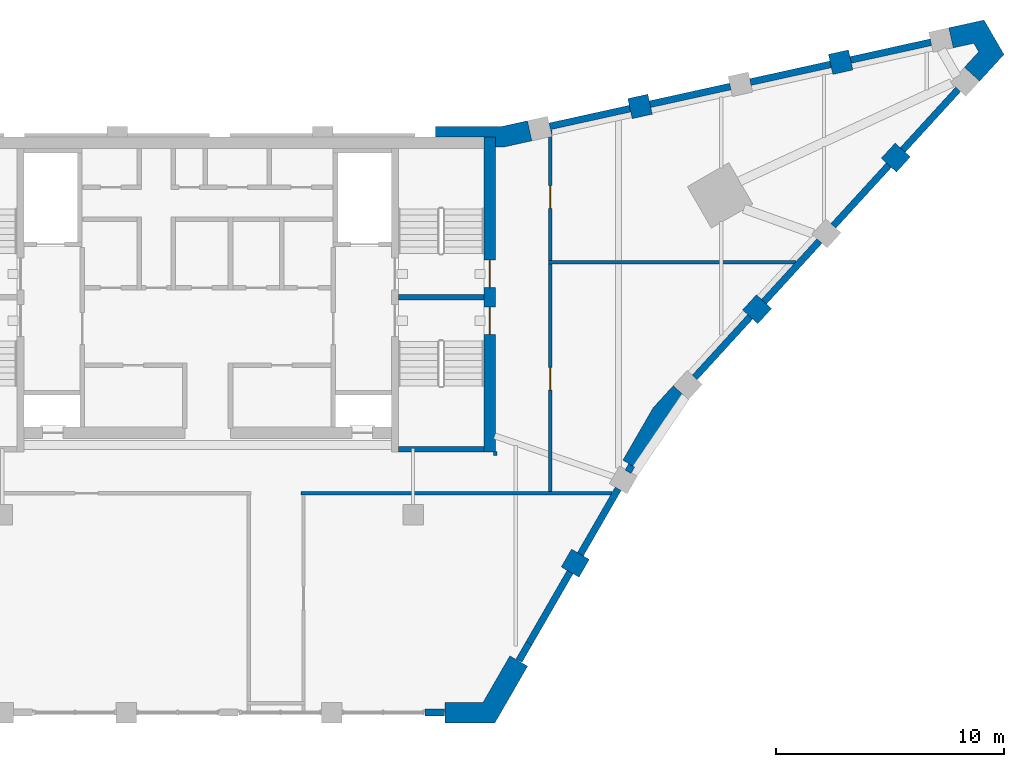
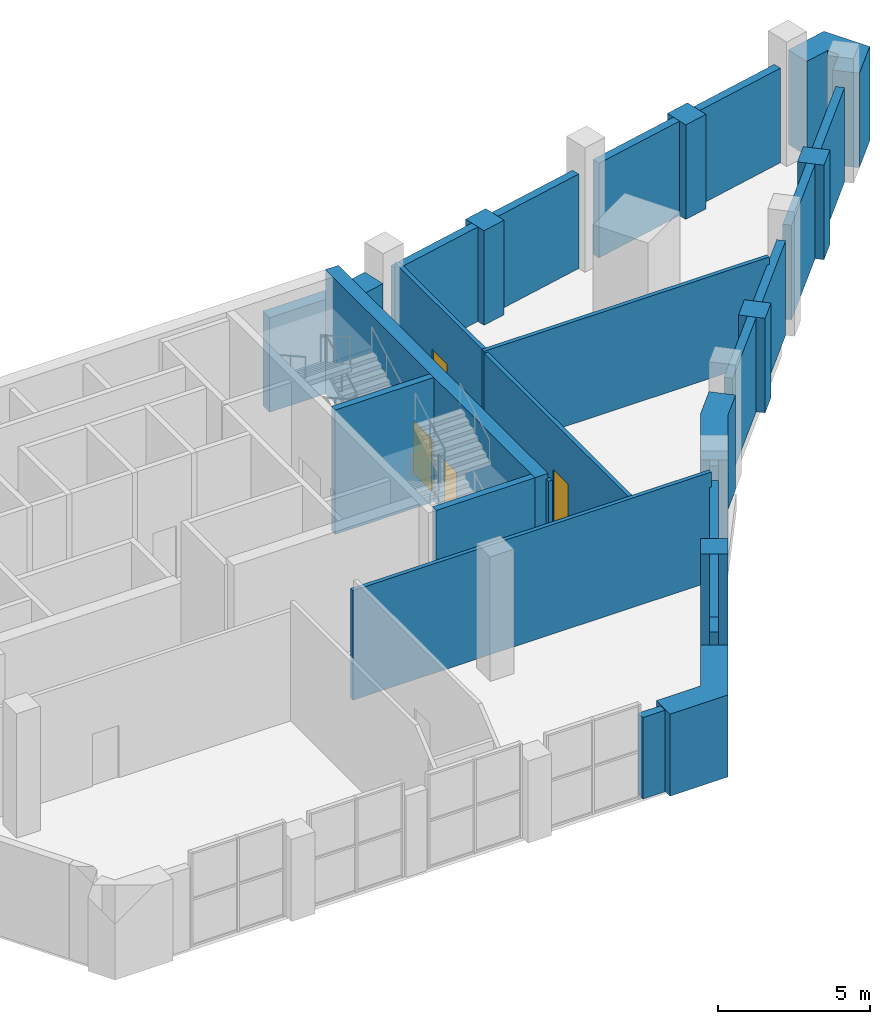
# One storey, part 6 of 9: 30 walls, 4 doors, 4 openings.
"""IFC4 building model written with IfcOpenShell, lengths in metres."""

from ifc_helpers import new_model, si_unit, direction, frame, frame_2d, origin, place, context, subcontext, project, spatial, polyline, rectangle, outline, extrude, material, layer, layer_set, type_object, element, fill, save


model = new_model("IFC4")

# Units and contexts
model_context = context("Model", 3, precision=1e-05, world=origin(), true_north=direction((0.0, 1.0)))
body_context = subcontext(model_context, "Body", "Model", "MODEL_VIEW")
ifc_project = project(units=[si_unit("LENGTHUNIT", "METRE"), si_unit("AREAUNIT", "SQUARE_METRE"), si_unit("VOLUMEUNIT", "CUBIC_METRE"), si_unit("PLANEANGLEUNIT", "RADIAN"), si_unit("MASSUNIT", "GRAM", prefix="KILO")], contexts=[model_context])

# Site, building, storey
site_placement = place(None, origin())
site = spatial("IfcSite", under=ifc_project, at=site_placement, CompositionType="ELEMENT")
building_placement = place(site_placement, origin())
building = spatial("IfcBuilding", under=site, at=building_placement, Name="Calabash Gate Tower", CompositionType="ELEMENT")
storey_placement = place(building_placement, frame((0.0, 0.0, 325.5)))
storey = spatial("IfcBuildingStorey", under=building, at=storey_placement, Name="L76", CompositionType="ELEMENT", Elevation=325.5)

# Walls
ifc_material_1 = material(Name="Terracotta brick masonry, exposed face", Category="masonry")
ifc_layer_1 = layer(ifc_material_1, 0.89990234375)
ifc_layer_set_1 = layer_set([ifc_layer_1], Name="Brick end wall 900")
wall_type_1 = type_object("IfcWallType", Name="Brick end wall 900", PredefinedType="SOLIDWALL", material=ifc_layer_set_1)
wall_1_placement = place(storey_placement, frame((16.491943359375, 0.157470703125, 0.0), z_axis=(0.0, 0.0, 1.0), x_axis=(-0.866013897511, 0.50001992892, 0.0)))
element("IfcWall", 1, at=wall_1_placement, inside=storey, type_object=wall_type_1, Name="Brick pier L76 crown2.1", PredefinedType="SOLIDWALL", context=body_context, shape_type="SweptSolid", body=[
    extrude(rectangle(XDim=0.89990234375, YDim=0.89990234375, at=frame_2d((0.449951171875, 0.0))), origin(), (0.0, 0.0, 1.0), 3.800048828125),
])
wall_2_placement = place(storey_placement, frame((23.763671875, 11.17333984375, 0.0), z_axis=(0.0, 0.0, 1.0), x_axis=(0.674802966049, 0.737997938352, 0.0)))
element("IfcWall", 2, at=wall_2_placement, inside=storey, type_object=wall_type_1, Name="Brick pier L76 crown3.1", PredefinedType="SOLIDWALL", context=body_context, shape_type="SweptSolid", body=[
    extrude(rectangle(XDim=0.900146484375, YDim=0.89990234375, at=frame_2d((0.4501953125, 0.0))), origin(), (0.0, 0.0, 1.0), 3.800048828125),
])
wall_3_placement = place(storey_placement, frame((30.44482421875, 18.47900390625, 0.0), z_axis=(0.0, 0.0, 1.0), x_axis=(-0.674938051731, -0.737874397391, 0.0)))
element("IfcWall", 3, at=wall_3_placement, inside=storey, type_object=wall_type_1, Name="Brick pier L76 crown3.3", PredefinedType="SOLIDWALL", context=body_context, shape_type="SweptSolid", body=[
    extrude(rectangle(XDim=0.89990234375, YDim=0.89990234375, at=frame_2d((0.449951171875, 0.0))), origin(), (0.0, 0.0, 1.0), 3.800048828125),
])
for number, where, z_axis, x_axis, name in (
    (4, (28.16650390625, 22.42529296875, 0.0), (0.0, 0.0, 1.0), (-0.976473402733, -0.215637876437, 0.0), "Brick pier L76 crown5.1"),
    (5, (18.4990234375, 20.2919921875, 0.0), (0.0, 0.0, 1.0), (0.976473402733, 0.215637876437, 0.0), "Brick pier L76 crown5.3"),
):
    element("IfcWall", number, at=place(storey_placement, frame(where, z_axis=z_axis, x_axis=x_axis)), inside=storey, type_object=wall_type_1, Name=name, PredefinedType="SOLIDWALL", context=body_context, shape_type="SweptSolid", body=[
        extrude(rectangle(XDim=0.900146484375, YDim=0.89990234375, at=frame_2d((0.4501953125, 0.0))), origin(), (0.0, 0.0, 1.0), 3.800048828125),
    ])
wall_4_placement = place(storey_placement, origin())
element("IfcWall", 6, at=wall_4_placement, inside=storey, type_object=wall_type_1, Name="Brick end wall L76 2", PredefinedType="SOLIDWALL", context=body_context, shape_type="SweptSolid", body=[
    extrude(outline(polyline([(10.385986328125, -5.713134765625), (10.385986328125, -6.61328125), (12.5830078125, -6.61328125), (14.01708984375, -4.12939453125), (13.237548828125, -3.679443359375), (12.063232421875, -5.713134765625), (10.385986328125, -5.713134765625)])), origin(), (0.0, 0.0, 1.0), 3.29736328125),
])
wall_5_placement = place(storey_placement, origin())
element("IfcWall", 7, at=wall_5_placement, inside=storey, type_object=wall_type_1, Name="Brick end wall L76 3", PredefinedType="SOLIDWALL", context=body_context, shape_type="SweptSolid", body=[
    extrude(outline(polyline([(18.1875, 4.894287109375), (18.967041015625, 4.4443359375), (20.24658203125, 6.66064453125), (21.058837890625, 7.548828125), (20.394775390625, 8.15625), (19.516357421875, 7.19580078125), (18.1875, 4.894287109375)])), origin(), (0.0, 0.0, 1.0), 3.800048828125),
])
wall_6_placement = place(storey_placement, origin())
element("IfcWall", 8, at=wall_6_placement, inside=storey, type_object=wall_type_1, Name="Brick end wall L76 4", PredefinedType="SOLIDWALL", context=body_context, shape_type="SweptSolid", body=[
    extrude(outline(polyline([(33.813720703125, 21.496337890625), (34.881591796875, 22.663818359375), (34.0087890625, 24.175048828125), (32.4638671875, 23.834228515625), (32.65771484375, 22.955322265625), (33.55908203125, 23.154296875), (33.7724609375, 22.78466796875), (33.149658203125, 22.103759765625), (33.813720703125, 21.496337890625)])), origin(), (0.0, 0.0, 1.0), 3.800048828125),
])
wall_7_placement = place(storey_placement, origin())
element("IfcWall", 9, at=wall_7_placement, inside=storey, type_object=wall_type_1, Name="Brick end wall L76 5", PredefinedType="SOLIDWALL", context=body_context, shape_type="SweptSolid", body=[
    extrude(outline(polyline([(14.007568359375, 19.761474609375), (12.83251953125, 19.50244140625), (9.984375, 19.50244140625), (9.984375, 19.052490234375), (12.60009765625, 19.052490234375), (12.60009765625, 18.6025390625), (12.930419921875, 18.6025390625), (14.201416015625, 18.883056640625), (14.007568359375, 19.761474609375)])), origin(), (0.0, 0.0, 1.0), 3.800048828125),
])
ifc_material_2 = material(Name="Concrete C60/75", Category="concrete")
ifc_layer_2 = layer(ifc_material_2, 0.25)
ifc_layer_set_2 = layer_set([ifc_layer_2], Name="Core wall 250 Concrete C60/75")
wall_type_2 = type_object("IfcWallType", Name="Core wall 250 Concrete C60/75", PredefinedType="SHEAR", material=ifc_layer_set_2)
for number, where, z_axis, x_axis, name in (
    (10, (8.35009765625, 12.027587890625, 0.0), (0.0, 0.0, 1.0), (1.0, 0.0, 0.0), "Core wall C-MIDE L76"),
    (11, (8.35009765625, 5.377685546875, 0.0), (0.0, 0.0, 1.0), (1.0, 0.0, 0.0), "Core wall C-SSE L76"),
):
    element("IfcWall", number, at=place(storey_placement, frame(where, z_axis=z_axis, x_axis=x_axis)), inside=storey, type_object=wall_type_2, Name=name, PredefinedType="SHEAR", context=body_context, shape_type="SweptSolid", body=[
        extrude(rectangle(XDim=3.75, YDim=0.25, at=frame_2d((1.875, 0.0))), origin(), (0.0, 0.0, 1.0), 5.0),
    ])

# Wall, openings, doors
ifc_material_3 = material(Name="Concrete C60/75", Category="concrete")
ifc_layer_3 = layer(ifc_material_3, 0.5)
ifc_layer_set_3 = layer_set([ifc_layer_3], Name="Core wall 500 Concrete C60/75")
wall_type_3 = type_object("IfcWallType", Name="Core wall 500 Concrete C60/75", PredefinedType="SHEAR", material=ifc_layer_set_3)
wall_8_placement = place(storey_placement, frame((12.35009765625, 5.252685546875, 0.0), z_axis=(0.0, 0.0, 1.0), x_axis=(0.0, 1.0, 0.0)))
wall_8 = element("IfcWall", 12, at=wall_8_placement, inside=storey, type_object=wall_type_3, Name="Core wall C-COLE L76", PredefinedType="SHEAR", context=body_context, shape_type="SweptSolid", body=[
    extrude(rectangle(XDim=13.7998046875, YDim=0.5, at=frame_2d((6.89990234375, 0.0))), origin(), (0.0, 0.0, 1.0), 5.0),
])
opening_1_placement = place(wall_8_placement, frame((7.199951171875, 0.0, 0.0)))
opening_1 = element("IfcOpeningElement", 13, at=opening_1_placement, cuts=wall_8, Name="Opening L76-007", PredefinedType="OPENING", context=body_context, shape_type="SweptSolid", body=[
    extrude(rectangle(XDim=1.199951171875, YDim=2.10009765625, at=frame_2d((0.60009765625, 1.050048828125))), frame((0.0, 0.260009765625, 0.0), z_axis=(0.0, -1.0, 0.0), x_axis=(1.0, 0.0, 0.0)), (0.0, 0.0, 1.0), 0.52001953125),
])
opening_2_placement = place(wall_8_placement, frame((5.14990234375, 0.0, 0.0)))
opening_2 = element("IfcOpeningElement", 14, at=opening_2_placement, cuts=wall_8, Name="Opening L76-008", PredefinedType="OPENING", context=body_context, shape_type="SweptSolid", body=[
    extrude(rectangle(XDim=1.199951171875, YDim=2.10009765625, at=frame_2d((0.60009765625, 1.050048828125))), frame((0.0, 0.260009765625, 0.0), z_axis=(0.0, -1.0, 0.0), x_axis=(1.0, 0.0, 0.0)), (0.0, 0.0, 1.0), 0.52001953125),
])
ifc_material_4 = material(Name="Steel fire door set with fire-resisting glazing", Category="steel")
door_type_1 = type_object("IfcDoorType", Name="Fire door D10 1200x2100 FD90", OperationType="NOTDEFINED", PredefinedType="DOOR", material=ifc_material_4)
door_1_placement = place(opening_1_placement, origin())
door_1 = element("IfcDoor", 15, at=door_1_placement, inside=storey, type_object=door_type_1, Name="Exit stair door ST3", OperationType="SINGLE_SWING_RIGHT", OverallHeight=2.10009765625, OverallWidth=1.199951171875, PredefinedType="DOOR", context=body_context, shape_type="SweptSolid", body=[
    extrude(rectangle(XDim=1.199951171875, YDim=2.10009765625, at=frame_2d((0.60009765625, 1.050048828125))), frame((0.0, 0.02490234375, 0.0), z_axis=(0.0, -1.0, 0.0), x_axis=(1.0, 0.0, 0.0)), (0.0, 0.0, 1.0), 0.050048828125),
])
fill(opening_1, door_1)
door_2_placement = place(opening_2_placement, origin())
door_2 = element("IfcDoor", 16, at=door_2_placement, inside=storey, type_object=door_type_1, Name="Exit stair door ST4", OperationType="SINGLE_SWING_LEFT", OverallHeight=2.10009765625, OverallWidth=1.199951171875, PredefinedType="DOOR", context=body_context, shape_type="SweptSolid", body=[
    extrude(rectangle(XDim=1.199951171875, YDim=2.10009765625, at=frame_2d((0.60009765625, 1.050048828125))), frame((0.0, 0.02490234375, 0.0), z_axis=(0.0, -1.0, 0.0), x_axis=(1.0, 0.0, 0.0)), (0.0, 0.0, 1.0), 0.050048828125),
])
fill(opening_2, door_2)

# Wall
ifc_material_5 = material(Name="Gypsum board on steel studs, mineral wool", Category="steel")
ifc_layer_4 = layer(ifc_material_5, 0.14990234375)
ifc_layer_set_4 = layer_set([ifc_layer_4], Name="Partition 150 gypsum board")
wall_type_4 = type_object("IfcWallType", Name="Partition 150 gypsum board", PredefinedType="PARTITIONING", material=ifc_layer_set_4)
wall_9_placement = place(storey_placement, frame((4.094970703125, 3.45263671875, 0.0), z_axis=(0.0, 0.0, 1.0), x_axis=(1.0, 0.0, 0.0)))
element("IfcWall", 17, at=wall_9_placement, inside=storey, type_object=wall_type_4, Name="Partition", PredefinedType="PARTITIONING", context=body_context, shape_type="SweptSolid", body=[
    extrude(rectangle(XDim=13.626708984375, YDim=0.14990234375, at=frame_2d((6.8134765625, 0.0))), origin(), (0.0, 0.0, 1.0), 4.401611328125),
])

# Wall, opening, door
wall_10_placement = place(storey_placement, frame((15.0, 3.527587890625, 0.0), z_axis=(0.0, 0.0, 1.0), x_axis=(0.0, 1.0, 0.0)))
wall_10 = element("IfcWall", 18, at=wall_10_placement, inside=storey, type_object=wall_type_4, Name="Partition", PredefinedType="PARTITIONING", context=body_context, shape_type="SweptSolid", body=[
    extrude(rectangle(XDim=9.9560546875, YDim=0.14990234375, at=frame_2d((4.97802734375, 0.0))), origin(), (0.0, 0.0, 1.0), 4.02001953125),
])
opening_3_placement = place(wall_10_placement, frame((4.430908203125, 0.0, 0.0)))
opening_3 = element("IfcOpeningElement", 19, at=opening_3_placement, cuts=wall_10, Name="Opening L76-027", PredefinedType="OPENING", context=body_context, shape_type="SweptSolid", body=[
    extrude(rectangle(XDim=1.0, YDim=2.10009765625, at=frame_2d((0.5, 1.050048828125))), frame((0.0, 0.0849609375, 0.0), z_axis=(0.0, -1.0, 0.0), x_axis=(1.0, 0.0, 0.0)), (0.0, 0.0, 1.0), 0.169921875),
])
ifc_material_6 = material(Name="Steel fire door set with fire-resisting glazing", Category="steel")
door_type_2 = type_object("IfcDoorType", Name="Fire door D11 1000x2100 FD60", OperationType="NOTDEFINED", PredefinedType="DOOR", material=ifc_material_6)
door_3_placement = place(opening_3_placement, origin())
door_3 = element("IfcDoor", 20, at=door_3_placement, inside=storey, type_object=door_type_2, Name="Plant BMS Room door", OperationType="SINGLE_SWING_RIGHT", OverallHeight=2.10009765625, OverallWidth=1.0, PredefinedType="DOOR", context=body_context, shape_type="SweptSolid", body=[
    extrude(rectangle(XDim=1.0, YDim=2.10009765625, at=frame_2d((0.5, 1.050048828125))), frame((0.0, 0.02490234375, 0.0), z_axis=(0.0, -1.0, 0.0), x_axis=(1.0, 0.0, 0.0)), (0.0, 0.0, 1.0), 0.050048828125),
])
fill(opening_3, door_3)

# Walls
wall_11_placement = place(storey_placement, frame((12.60009765625, 5.09765625, 0.0), z_axis=(0.0, 0.0, 1.0), x_axis=(0.0, 1.0, 0.0)))
element("IfcWall", 21, at=wall_11_placement, inside=storey, type_object=wall_type_4, Name="Partition", PredefinedType="PARTITIONING", context=body_context, shape_type="SweptSolid", body=[
    extrude(rectangle(XDim=0.179931640625, YDim=0.14990234375, at=frame_2d((0.08984375, 0.0))), origin(), (0.0, 0.0, 1.0), 4.800048828125),
])
wall_12_placement = place(storey_placement, frame((14.925048828125, 13.55859375, 0.0), z_axis=(0.0, 0.0, 1.0), x_axis=(1.0, 0.0, 0.0)))
element("IfcWall", 22, at=wall_12_placement, inside=storey, type_object=wall_type_4, Name="Partition", PredefinedType="PARTITIONING", context=body_context, shape_type="SweptSolid", body=[
    extrude(rectangle(XDim=10.836669921875, YDim=0.14990234375, at=frame_2d((5.41845703125, 0.0))), origin(), (0.0, 0.0, 1.0), 4.10009765625),
])

# Wall, opening, door
wall_13_placement = place(storey_placement, frame((15.0, 13.633544921875, 0.0), z_axis=(0.0, 0.0, 1.0), x_axis=(0.0, 1.0, 0.0)))
wall_13 = element("IfcWall", 23, at=wall_13_placement, inside=storey, type_object=wall_type_4, Name="Partition", PredefinedType="PARTITIONING", context=body_context, shape_type="SweptSolid", body=[
    extrude(rectangle(XDim=5.724365234375, YDim=0.14990234375, at=frame_2d((2.8623046875, 0.0))), origin(), (0.0, 0.0, 1.0), 4.10009765625),
])
opening_4_placement = place(wall_13_placement, frame((2.286376953125, 0.0, 0.0)))
opening_4 = element("IfcOpeningElement", 24, at=opening_4_placement, cuts=wall_13, Name="Opening L76-026", PredefinedType="OPENING", context=body_context, shape_type="SweptSolid", body=[
    extrude(rectangle(XDim=1.0, YDim=2.10009765625, at=frame_2d((0.5, 1.050048828125))), frame((0.0, 0.0849609375, 0.0), z_axis=(0.0, -1.0, 0.0), x_axis=(1.0, 0.0, 0.0)), (0.0, 0.0, 1.0), 0.169921875),
])
door_4_placement = place(opening_4_placement, origin())
door_4 = element("IfcDoor", 25, at=door_4_placement, inside=storey, type_object=door_type_2, Name="Electrical Switch Room door", OperationType="SINGLE_SWING_LEFT", OverallHeight=2.10009765625, OverallWidth=1.0, PredefinedType="DOOR", context=body_context, shape_type="SweptSolid", body=[
    extrude(rectangle(XDim=1.0, YDim=2.10009765625, at=frame_2d((0.5, 1.050048828125))), frame((0.0, 0.02490234375, 0.0), z_axis=(0.0, -1.0, 0.0), x_axis=(1.0, 0.0, 0.0)), (0.0, 0.0, 1.0), 0.050048828125),
])
fill(opening_4, door_4)

# Walls
ifc_material_7 = material(Name="Terracotta louvre blades in an aluminium frame", Category="masonry")
ifc_layer_5 = layer(ifc_material_7, 0.300048828125)
ifc_layer_set_5 = layer_set([ifc_layer_5], Name="Terracotta louvre wall 300")
wall_type_5 = type_object("IfcWallType", Name="Terracotta louvre wall 300", PredefinedType="ELEMENTEDWALL", material=ifc_layer_set_5)
wall_14_placement = place(storey_placement, frame((14.077392578125, -3.125, 0.0), z_axis=(0.0, 0.0, 1.0), x_axis=(0.499961193289, 0.866047807691, 0.0)))
element("IfcWall", 26, at=wall_14_placement, inside=storey, type_object=wall_type_5, Name="LOUVRE L76 crown2.1", PredefinedType="ELEMENTEDWALL", context=body_context, shape_type="SweptSolid", body=[
    extrude(rectangle(XDim=3.599853515625, YDim=0.300048828125, at=frame_2d((1.7998046875, 0.0))), origin(), (0.0, 0.0, 1.0), 3.800048828125),
])
wall_15_placement = place(storey_placement, origin())
element("IfcWall", 27, at=wall_15_placement, inside=storey, type_object=wall_type_5, Name="LOUVRE L76 crown2.2", PredefinedType="ELEMENTEDWALL", context=body_context, shape_type="SweptSolid", body=[
    extrude(outline(polyline([(16.457275390625, 0.697265625), (18.113037109375, 3.565185546875), (17.853271484375, 3.715087890625), (16.197509765625, 0.84716796875), (16.457275390625, 0.697265625)])), origin(), (0.0, 0.0, 1.0), 3.800048828125),
])
wall_16_placement = place(storey_placement, origin())
element("IfcWall", 28, at=wall_16_placement, inside=storey, type_object=wall_type_5, Name="LOUVRE L76 crown3.1", PredefinedType="ELEMENTEDWALL", context=body_context, shape_type="SweptSolid", body=[
    extrude(outline(polyline([(23.653076171875, 11.274658203125), (21.224853515625, 8.619384765625), (21.4462890625, 8.4169921875), (23.874267578125, 11.072265625), (23.653076171875, 11.274658203125)])), origin(), (0.0, 0.0, 1.0), 3.800048828125),
])
wall_17_placement = place(storey_placement, frame((24.37109375, 11.837646484375, 0.0), z_axis=(0.0, 0.0, 1.0), x_axis=(0.674867348758, 0.737939063595, 0.0)))
element("IfcWall", 29, at=wall_17_placement, inside=storey, type_object=wall_type_5, Name="LOUVRE L76 crown3.2", PredefinedType="ELEMENTEDWALL", context=body_context, shape_type="SweptSolid", body=[
    extrude(rectangle(XDim=3.599853515625, YDim=0.300048828125, at=frame_2d((1.7998046875, 0.0))), origin(), (0.0, 0.0, 1.0), 3.800048828125),
])
for number, where, z_axis, x_axis, name in (
    (30, (27.407958984375, 15.158203125, 0.0), (0.0, 0.0, 1.0), (0.674833575111, 0.737969949187, 0.0), "LOUVRE L76 crown3.3"),
    (31, (30.44482421875, 18.47900390625, 0.0), (0.0, 0.0, 1.0), (0.674833575111, 0.737969949187, 0.0), "LOUVRE L76 crown3.4"),
):
    element("IfcWall", number, at=place(storey_placement, frame(where, z_axis=z_axis, x_axis=x_axis)), inside=storey, type_object=wall_type_5, Name=name, PredefinedType="ELEMENTEDWALL", context=body_context, shape_type="SweptSolid", body=[
        extrude(rectangle(XDim=3.60009765625, YDim=0.300048828125, at=frame_2d((1.800048828125, 0.0))), origin(), (0.0, 0.0, 1.0), 3.800048828125),
    ])
wall_18_placement = place(storey_placement, frame((31.681884765625, 23.200927734375, 0.0), z_axis=(0.0, 0.0, 1.0), x_axis=(-0.976513072969, -0.215458159096, 0.0)))
element("IfcWall", 32, at=wall_18_placement, inside=storey, type_object=wall_type_5, Name="LOUVRE L76 crown5.1", PredefinedType="ELEMENTEDWALL", context=body_context, shape_type="SweptSolid", body=[
    extrude(rectangle(XDim=3.599853515625, YDim=0.300048828125, at=frame_2d((1.7998046875, 0.0))), origin(), (0.0, 0.0, 1.0), 3.800048828125),
])
wall_19_placement = place(storey_placement, origin())
element("IfcWall", 33, at=wall_19_placement, inside=storey, type_object=wall_type_5, Name="LOUVRE L76 crown5.2", PredefinedType="ELEMENTEDWALL", context=body_context, shape_type="SweptSolid", body=[
    extrude(outline(polyline([(27.25537109375, 22.377685546875), (23.740234375, 21.60205078125), (23.804931640625, 21.30908203125), (27.31982421875, 22.084716796875), (27.25537109375, 22.377685546875)])), origin(), (0.0, 0.0, 1.0), 3.800048828125),
])
for number, where, z_axis, x_axis, name in (
    (34, (22.893310546875, 21.26171875, 0.0), (0.0, 0.0, 1.0), (-0.976513072969, -0.215458159096, 0.0), "LOUVRE L76 crown5.3"),
    (35, (18.4990234375, 20.2919921875, 0.0), (0.0, 0.0, 1.0), (-0.976513072969, -0.215458159096, 0.0), "LOUVRE L76 crown5.4"),
):
    element("IfcWall", number, at=place(storey_placement, frame(where, z_axis=z_axis, x_axis=x_axis)), inside=storey, type_object=wall_type_5, Name=name, PredefinedType="ELEMENTEDWALL", context=body_context, shape_type="SweptSolid", body=[
        extrude(rectangle(XDim=3.599853515625, YDim=0.300048828125, at=frame_2d((1.7998046875, 0.0))), origin(), (0.0, 0.0, 1.0), 3.800048828125),
    ])
wall_20_placement = place(storey_placement, frame((9.52880859375, -6.1630859375, 0.0), z_axis=(0.0, 0.0, 1.0), x_axis=(1.0, 0.0, 0.0)))
element("IfcWall", 36, at=wall_20_placement, inside=storey, type_object=wall_type_5, Name="LOUVRE L76 edge crown1.c7", PredefinedType="ELEMENTEDWALL", context=body_context, shape_type="SweptSolid", body=[
    extrude(rectangle(XDim=0.83984375, YDim=0.300048828125, at=frame_2d((0.419921875, 0.0))), origin(), (0.0, 0.0, 1.0), 3.27880859375),
])
wall_21_placement = place(storey_placement, frame((13.63818359375, -3.885498046875, 0.0), z_axis=(0.0, 0.0, 1.0), x_axis=(0.499923923456, 0.866069322143, 0.0)))
element("IfcWall", 37, at=wall_21_placement, inside=storey, type_object=wall_type_5, Name="LOUVRE L76 edge crown2.c8", PredefinedType="ELEMENTEDWALL", context=body_context, shape_type="SweptSolid", body=[
    extrude(rectangle(XDim=0.874267578125, YDim=0.300048828125, at=frame_2d((0.43701171875, 0.0))), origin(), (0.0, 0.0, 1.0), 3.800048828125),
])
wall_22_placement = place(storey_placement, frame((18.4130859375, 4.385009765625, 0.0), z_axis=(0.0, 0.0, 1.0), x_axis=(0.500026652407, 0.866010015463, 0.0)))
element("IfcWall", 38, at=wall_22_placement, inside=storey, type_object=wall_type_5, Name="LOUVRE L76 edge crown2.c9", PredefinedType="ELEMENTEDWALL", context=body_context, shape_type="SweptSolid", body=[
    extrude(rectangle(XDim=0.32421875, YDim=0.300048828125, at=frame_2d((0.162109375, 0.0))), origin(), (0.0, 0.0, 1.0), 3.800048828125),
])

save(model, "model.ifc")
